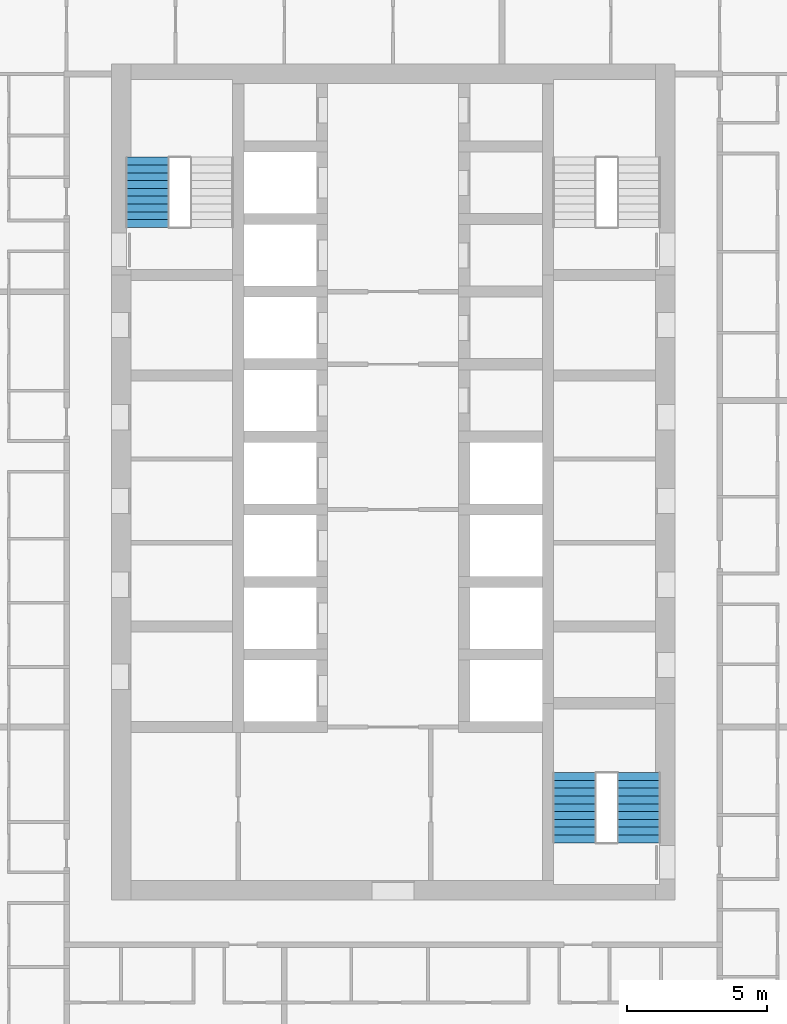
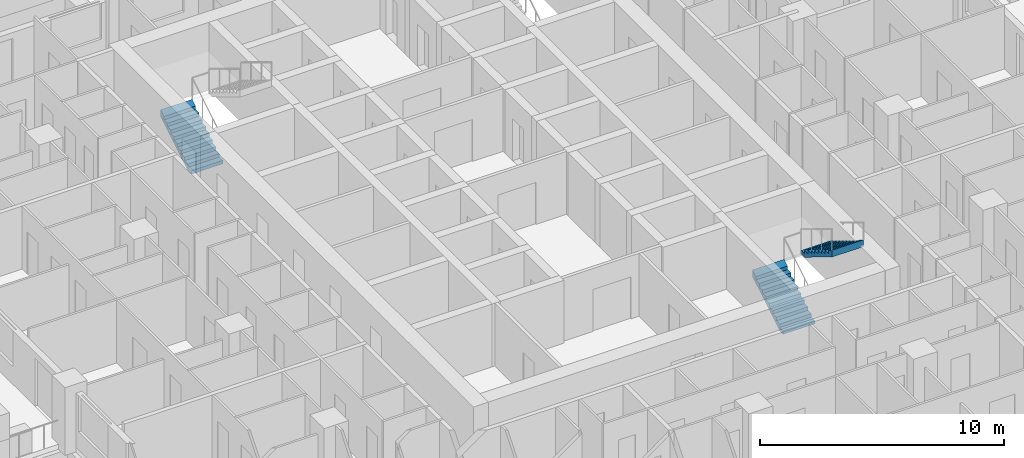
# One storey, part 15 of 18: 3 stair flights, 2 elements without a shape of their own.
"""IFC4 building model written with IfcOpenShell, lengths in metres."""

from ifc_helpers import new_model, si_unit, direction, frame, origin, place, context, subcontext, project, spatial, triangles, material, type_object, element, aggregate, save


model = new_model("IFC4")

# Units and contexts
model_context = context("Model", 3, precision=1e-05, world=origin(), true_north=direction((0.0, 1.0)))
body_context = subcontext(model_context, "Body", "Model", "MODEL_VIEW")
ifc_project = project(units=[si_unit("LENGTHUNIT", "METRE"), si_unit("AREAUNIT", "SQUARE_METRE"), si_unit("VOLUMEUNIT", "CUBIC_METRE"), si_unit("PLANEANGLEUNIT", "RADIAN"), si_unit("MASSUNIT", "GRAM", prefix="KILO")], contexts=[model_context])

# Site, building, storey
site_placement = place(None, origin())
site = spatial("IfcSite", under=ifc_project, at=site_placement, CompositionType="ELEMENT")
building_placement = place(site_placement, origin())
building = spatial("IfcBuilding", under=site, at=building_placement, Name="Ludao Terraces", CompositionType="ELEMENT")
storey_placement = place(building_placement, frame((0.0, 0.0, 33.10009765625)))
storey = spatial("IfcBuildingStorey", under=building, at=storey_placement, Name="L08", CompositionType="ELEMENT", Elevation=33.10009765625)

# Stair, stair flight
ifc_material = material(Name="Concrete C40", Category="concrete")
stair_type = type_object("IfcStairType", Name="INT Stair", PredefinedType="HALF_TURN_STAIR", material=ifc_material)
stair_1_placement = place(storey_placement, origin())
stair_1 = element("IfcStair", 1, at=stair_1_placement, inside=storey, type_object=stair_type, Name="EXIT STAIR 1", PredefinedType="HALF_TURN_STAIR")
stair_flight_type = type_object("IfcStairFlightType", Name="INT Stair flight", PredefinedType="STRAIGHT", material=ifc_material)
stair_flight_1_placement = place(storey_placement, frame((76.199951171875, 79.0, 0.0), z_axis=(0.0, 0.0, 1.0), x_axis=(0.0, 1.0, 0.0)))
stair_flight_1 = element("IfcStairFlight", 2, at=stair_flight_1_placement, type_object=stair_flight_type, Name="ST1 flight 1", NumberOfRisers=10, NumberOfTreads=9, PredefinedType="STRAIGHT", RiserHeight=0.17, TreadLength=0.28, context=body_context, shape_type="Tessellation", body=[
    triangles([(0.0, -0.75, 0.0), (0.0, -0.5, 0.0), (0.0, -0.25, 0.0), (0.0, 0.0, 0.0), (0.0, 0.25, 0.0), (0.0, 0.5, 0.0), (0.0, 0.75, 0.0), (0.0, -0.75, 0.169921875), (0.0, -0.5, 0.169921875), (0.0, -0.25, 0.169921875), (0.0, 0.0, 0.169921875), (0.0, 0.25, 0.169921875), (0.0, 0.5, 0.169921875), (0.0, 0.75, 0.169921875), (0.280029296875, -0.75, 0.169921875), (0.280029296875, -0.5, 0.169921875), (0.280029296875, -0.25, 0.169921875), (0.280029296875, 0.0, 0.169921875), (0.280029296875, 0.25, 0.169921875), (0.280029296875, 0.5, 0.169921875), (0.280029296875, 0.75, 0.169921875), (0.280029296875, -0.75, 0.340087890625), (0.280029296875, -0.5, 0.340087890625), (0.280029296875, -0.25, 0.340087890625), (0.280029296875, 0.0, 0.340087890625), (0.280029296875, 0.25, 0.340087890625), (0.280029296875, 0.5, 0.340087890625), (0.280029296875, 0.75, 0.340087890625), (0.56005859375, -0.75, 0.340087890625), (0.56005859375, -0.5, 0.340087890625), (0.56005859375, -0.25, 0.340087890625), (0.56005859375, 0.0, 0.340087890625), (0.56005859375, 0.25, 0.340087890625), (0.56005859375, 0.5, 0.340087890625), (0.56005859375, 0.75, 0.340087890625), (0.56005859375, -0.75, 0.510009765625), (0.56005859375, -0.5, 0.510009765625), (0.56005859375, -0.25, 0.510009765625), (0.56005859375, 0.0, 0.510009765625), (0.56005859375, 0.25, 0.510009765625), (0.56005859375, 0.5, 0.510009765625), (0.56005859375, 0.75, 0.510009765625), (0.840087890625, -0.75, 0.510009765625), (0.840087890625, -0.5, 0.510009765625), (0.840087890625, -0.25, 0.510009765625), (0.840087890625, 0.0, 0.510009765625), (0.840087890625, 0.25, 0.510009765625), (0.840087890625, 0.5, 0.510009765625), (0.840087890625, 0.75, 0.510009765625), (0.840087890625, -0.75, 0.679931640625), (0.840087890625, -0.5, 0.679931640625), (0.840087890625, -0.25, 0.679931640625), (0.840087890625, 0.0, 0.679931640625), (0.840087890625, 0.25, 0.679931640625), (0.840087890625, 0.5, 0.679931640625), (0.840087890625, 0.75, 0.679931640625), (1.1201171875, -0.75, 0.679931640625), (1.1201171875, -0.5, 0.679931640625), (1.1201171875, -0.25, 0.679931640625), (1.1201171875, 0.0, 0.679931640625), (1.1201171875, 0.25, 0.679931640625), (1.1201171875, 0.5, 0.679931640625), (1.1201171875, 0.75, 0.679931640625), (1.1201171875, -0.75, 0.85009765625), (1.1201171875, -0.5, 0.85009765625), (1.1201171875, -0.25, 0.85009765625), (1.1201171875, 0.0, 0.85009765625), (1.1201171875, 0.25, 0.85009765625), (1.1201171875, 0.5, 0.85009765625), (1.1201171875, 0.75, 0.85009765625), (1.39990234375, -0.75, 0.85009765625), (1.39990234375, -0.5, 0.85009765625), (1.39990234375, -0.25, 0.85009765625), (1.39990234375, 0.0, 0.85009765625), (1.39990234375, 0.25, 0.85009765625), (1.39990234375, 0.5, 0.85009765625), (1.39990234375, 0.75, 0.85009765625), (1.39990234375, -0.75, 1.02001953125), (1.39990234375, -0.5, 1.02001953125), (1.39990234375, -0.25, 1.02001953125), (1.39990234375, 0.0, 1.02001953125), (1.39990234375, 0.25, 1.02001953125), (1.39990234375, 0.5, 1.02001953125), (1.39990234375, 0.75, 1.02001953125), (1.679931640625, -0.75, 1.02001953125), (1.679931640625, -0.5, 1.02001953125), (1.679931640625, -0.25, 1.02001953125), (1.679931640625, 0.0, 1.02001953125), (1.679931640625, 0.25, 1.02001953125), (1.679931640625, 0.5, 1.02001953125), (1.679931640625, 0.75, 1.02001953125), (1.679931640625, -0.75, 1.18994140625), (1.679931640625, -0.5, 1.18994140625), (1.679931640625, -0.25, 1.18994140625), (1.679931640625, 0.0, 1.18994140625), (1.679931640625, 0.25, 1.18994140625), (1.679931640625, 0.5, 1.18994140625), (1.679931640625, 0.75, 1.18994140625), (1.9599609375, -0.75, 1.18994140625), (1.9599609375, -0.5, 1.18994140625), (1.9599609375, -0.25, 1.18994140625), (1.9599609375, 0.0, 1.18994140625), (1.9599609375, 0.25, 1.18994140625), (1.9599609375, 0.5, 1.18994140625), (1.9599609375, 0.75, 1.18994140625), (1.9599609375, -0.75, 1.360107421875), (1.9599609375, -0.5, 1.360107421875), (1.9599609375, -0.25, 1.360107421875), (1.9599609375, 0.0, 1.360107421875), (1.9599609375, 0.25, 1.360107421875), (1.9599609375, 0.5, 1.360107421875), (1.9599609375, 0.75, 1.360107421875), (2.239990234375, -0.75, 1.360107421875), (2.239990234375, -0.5, 1.360107421875), (2.239990234375, -0.25, 1.360107421875), (2.239990234375, 0.0, 1.360107421875), (2.239990234375, 0.25, 1.360107421875), (2.239990234375, 0.5, 1.360107421875), (2.239990234375, 0.75, 1.360107421875), (2.239990234375, -0.75, 1.530029296875), (2.239990234375, -0.5, 1.530029296875), (2.239990234375, -0.25, 1.530029296875), (2.239990234375, 0.0, 1.530029296875), (2.239990234375, 0.25, 1.530029296875), (2.239990234375, 0.5, 1.530029296875), (2.239990234375, 0.75, 1.530029296875), (2.52001953125, -0.75, 1.699951171875), (2.52001953125, -0.5, 1.699951171875), (2.52001953125, -0.25, 1.699951171875), (2.52001953125, 0.0, 1.699951171875), (2.52001953125, 0.25, 1.699951171875), (2.52001953125, 0.5, 1.699951171875), (2.52001953125, 0.75, 1.699951171875), (2.52001953125, -0.75, 1.354736328125), (2.52001953125, -0.5, 1.354736328125), (2.52001953125, -0.25, 1.354736328125), (2.52001953125, 0.0, 1.354736328125), (2.52001953125, 0.25, 1.354736328125), (2.52001953125, 0.5, 1.354736328125), (2.52001953125, 0.75, 1.354736328125), (0.288818359375, -0.75, 0.0), (0.288818359375, -0.5, 0.0), (0.288818359375, -0.25, 0.0), (0.288818359375, 0.0, 0.0), (0.288818359375, 0.25, 0.0), (0.288818359375, 0.5, 0.0), (0.288818359375, 0.75, 0.0)], [[1, 141, 134], [7, 140, 147], [134, 127, 120], [140, 126, 133], [134, 120, 113], [140, 119, 126], [134, 113, 106], [140, 112, 119], [134, 106, 99], [140, 105, 112], [99, 92, 85], [105, 91, 98], [134, 99, 85], [140, 91, 105], [85, 78, 71], [91, 77, 84], [134, 85, 71], [140, 77, 91], [71, 64, 57], [77, 63, 70], [134, 71, 57], [140, 63, 77], [57, 50, 43], [63, 49, 56], [134, 57, 43], [140, 49, 63], [43, 36, 29], [49, 35, 42], [134, 43, 29], [140, 35, 49], [29, 22, 15], [35, 21, 28], [134, 29, 15], [140, 21, 35], [1, 134, 15], [7, 21, 140], [15, 8, 1], [21, 7, 14], [1, 9, 2], [1, 8, 9], [2, 10, 3], [2, 9, 10], [3, 11, 4], [3, 10, 11], [4, 12, 5], [4, 11, 12], [5, 13, 6], [5, 12, 13], [6, 14, 7], [6, 13, 14], [8, 16, 9], [8, 15, 16], [9, 17, 10], [9, 16, 17], [10, 18, 11], [10, 17, 18], [11, 19, 12], [11, 18, 19], [12, 20, 13], [12, 19, 20], [13, 21, 14], [13, 20, 21], [15, 23, 16], [15, 22, 23], [16, 24, 17], [16, 23, 24], [17, 25, 18], [17, 24, 25], [18, 26, 19], [18, 25, 26], [19, 27, 20], [19, 26, 27], [20, 28, 21], [20, 27, 28], [22, 30, 23], [22, 29, 30], [23, 31, 24], [23, 30, 31], [24, 32, 25], [24, 31, 32], [25, 33, 26], [25, 32, 33], [26, 34, 27], [26, 33, 34], [27, 35, 28], [27, 34, 35], [29, 37, 30], [29, 36, 37], [30, 38, 31], [30, 37, 38], [31, 39, 32], [31, 38, 39], [32, 40, 33], [32, 39, 40], [33, 41, 34], [33, 40, 41], [34, 42, 35], [34, 41, 42], [36, 44, 37], [36, 43, 44], [37, 45, 38], [37, 44, 45], [38, 46, 39], [38, 45, 46], [39, 47, 40], [39, 46, 47], [40, 48, 41], [40, 47, 48], [41, 49, 42], [41, 48, 49], [43, 51, 44], [43, 50, 51], [44, 52, 45], [44, 51, 52], [45, 53, 46], [45, 52, 53], [46, 54, 47], [46, 53, 54], [47, 55, 48], [47, 54, 55], [48, 56, 49], [48, 55, 56], [50, 58, 51], [50, 57, 58], [51, 59, 52], [51, 58, 59], [52, 60, 53], [52, 59, 60], [53, 61, 54], [53, 60, 61], [54, 62, 55], [54, 61, 62], [55, 63, 56], [55, 62, 63], [57, 65, 58], [57, 64, 65], [58, 66, 59], [58, 65, 66], [59, 67, 60], [59, 66, 67], [60, 68, 61], [60, 67, 68], [61, 69, 62], [61, 68, 69], [62, 70, 63], [62, 69, 70], [64, 72, 65], [64, 71, 72], [65, 73, 66], [65, 72, 73], [66, 74, 67], [66, 73, 74], [67, 75, 68], [67, 74, 75], [68, 76, 69], [68, 75, 76], [69, 77, 70], [69, 76, 77], [71, 79, 72], [71, 78, 79], [72, 80, 73], [72, 79, 80], [73, 81, 74], [73, 80, 81], [74, 82, 75], [74, 81, 82], [75, 83, 76], [75, 82, 83], [76, 84, 77], [76, 83, 84], [78, 86, 79], [78, 85, 86], [79, 87, 80], [79, 86, 87], [80, 88, 81], [80, 87, 88], [81, 89, 82], [81, 88, 89], [82, 90, 83], [82, 89, 90], [83, 91, 84], [83, 90, 91], [85, 93, 86], [85, 92, 93], [86, 94, 87], [86, 93, 94], [87, 95, 88], [87, 94, 95], [88, 96, 89], [88, 95, 96], [89, 97, 90], [89, 96, 97], [90, 98, 91], [90, 97, 98], [92, 100, 93], [92, 99, 100], [93, 101, 94], [93, 100, 101], [94, 102, 95], [94, 101, 102], [95, 103, 96], [95, 102, 103], [96, 104, 97], [96, 103, 104], [97, 105, 98], [97, 104, 105], [99, 107, 100], [99, 106, 107], [100, 108, 101], [100, 107, 108], [101, 109, 102], [101, 108, 109], [102, 110, 103], [102, 109, 110], [103, 111, 104], [103, 110, 111], [104, 112, 105], [104, 111, 112], [106, 114, 107], [106, 113, 114], [107, 115, 108], [107, 114, 115], [108, 116, 109], [108, 115, 116], [109, 117, 110], [109, 116, 117], [110, 118, 111], [110, 117, 118], [111, 119, 112], [111, 118, 119], [113, 121, 114], [113, 120, 121], [114, 122, 115], [114, 121, 122], [115, 123, 116], [115, 122, 123], [116, 124, 117], [116, 123, 124], [117, 125, 118], [117, 124, 125], [118, 126, 119], [118, 125, 126], [120, 128, 121], [120, 127, 128], [121, 129, 122], [121, 128, 129], [122, 130, 123], [122, 129, 130], [123, 131, 124], [123, 130, 131], [124, 132, 125], [124, 131, 132], [125, 133, 126], [125, 132, 133], [127, 135, 128], [127, 134, 135], [128, 136, 129], [128, 135, 136], [129, 137, 130], [129, 136, 137], [130, 138, 131], [130, 137, 138], [131, 139, 132], [131, 138, 139], [132, 140, 133], [132, 139, 140], [134, 142, 135], [134, 141, 142], [135, 143, 136], [135, 142, 143], [136, 144, 137], [136, 143, 144], [137, 145, 138], [137, 144, 145], [138, 146, 139], [138, 145, 146], [139, 147, 140], [139, 146, 147], [141, 2, 142], [141, 1, 2], [142, 3, 143], [142, 2, 3], [143, 4, 144], [143, 3, 4], [144, 5, 145], [144, 4, 5], [145, 6, 146], [145, 5, 6], [146, 7, 147], [146, 6, 7]], closed=True),
])
aggregate(stair_1, [stair_flight_1])

# Stair, stair flights
stair_2_placement = place(storey_placement, origin())
stair_2 = element("IfcStair", 3, at=stair_2_placement, inside=storey, type_object=stair_type, Name="EXIT STAIR 3", PredefinedType="HALF_TURN_STAIR")
stair_flight_2_placement = place(storey_placement, frame((91.5, 56.949951171875, 0.0), z_axis=(0.0, 0.0, 1.0), x_axis=(0.0, 1.0, 0.0)))
stair_flight_2 = element("IfcStairFlight", 4, at=stair_flight_2_placement, type_object=stair_flight_type, Name="ST3 flight 1", NumberOfRisers=10, NumberOfTreads=9, PredefinedType="STRAIGHT", RiserHeight=0.17, TreadLength=0.28, context=body_context, shape_type="Tessellation", body=[
    triangles([(0.0, -0.75, 0.0), (0.0, -0.5, 0.0), (0.0, -0.25, 0.0), (0.0, 0.0, 0.0), (0.0, 0.25, 0.0), (0.0, 0.5, 0.0), (0.0, 0.75, 0.0), (0.0, -0.75, 0.169921875), (0.0, -0.5, 0.169921875), (0.0, -0.25, 0.169921875), (0.0, 0.0, 0.169921875), (0.0, 0.25, 0.169921875), (0.0, 0.5, 0.169921875), (0.0, 0.75, 0.169921875), (0.280029296875, -0.75, 0.169921875), (0.280029296875, -0.5, 0.169921875), (0.280029296875, -0.25, 0.169921875), (0.280029296875, 0.0, 0.169921875), (0.280029296875, 0.25, 0.169921875), (0.280029296875, 0.5, 0.169921875), (0.280029296875, 0.75, 0.169921875), (0.280029296875, -0.75, 0.340087890625), (0.280029296875, -0.5, 0.340087890625), (0.280029296875, -0.25, 0.340087890625), (0.280029296875, 0.0, 0.340087890625), (0.280029296875, 0.25, 0.340087890625), (0.280029296875, 0.5, 0.340087890625), (0.280029296875, 0.75, 0.340087890625), (0.56005859375, -0.75, 0.340087890625), (0.56005859375, -0.5, 0.340087890625), (0.56005859375, -0.25, 0.340087890625), (0.56005859375, 0.0, 0.340087890625), (0.56005859375, 0.25, 0.340087890625), (0.56005859375, 0.5, 0.340087890625), (0.56005859375, 0.75, 0.340087890625), (0.56005859375, -0.75, 0.510009765625), (0.56005859375, -0.5, 0.510009765625), (0.56005859375, -0.25, 0.510009765625), (0.56005859375, 0.0, 0.510009765625), (0.56005859375, 0.25, 0.510009765625), (0.56005859375, 0.5, 0.510009765625), (0.56005859375, 0.75, 0.510009765625), (0.840087890625, -0.75, 0.510009765625), (0.840087890625, -0.5, 0.510009765625), (0.840087890625, -0.25, 0.510009765625), (0.840087890625, 0.0, 0.510009765625), (0.840087890625, 0.25, 0.510009765625), (0.840087890625, 0.5, 0.510009765625), (0.840087890625, 0.75, 0.510009765625), (0.840087890625, -0.75, 0.679931640625), (0.840087890625, -0.5, 0.679931640625), (0.840087890625, -0.25, 0.679931640625), (0.840087890625, 0.0, 0.679931640625), (0.840087890625, 0.25, 0.679931640625), (0.840087890625, 0.5, 0.679931640625), (0.840087890625, 0.75, 0.679931640625), (1.1201171875, -0.75, 0.679931640625), (1.1201171875, -0.5, 0.679931640625), (1.1201171875, -0.25, 0.679931640625), (1.1201171875, 0.0, 0.679931640625), (1.1201171875, 0.25, 0.679931640625), (1.1201171875, 0.5, 0.679931640625), (1.1201171875, 0.75, 0.679931640625), (1.1201171875, -0.75, 0.85009765625), (1.1201171875, -0.5, 0.85009765625), (1.1201171875, -0.25, 0.85009765625), (1.1201171875, 0.0, 0.85009765625), (1.1201171875, 0.25, 0.85009765625), (1.1201171875, 0.5, 0.85009765625), (1.1201171875, 0.75, 0.85009765625), (1.39990234375, -0.75, 0.85009765625), (1.39990234375, -0.5, 0.85009765625), (1.39990234375, -0.25, 0.85009765625), (1.39990234375, 0.0, 0.85009765625), (1.39990234375, 0.25, 0.85009765625), (1.39990234375, 0.5, 0.85009765625), (1.39990234375, 0.75, 0.85009765625), (1.39990234375, -0.75, 1.02001953125), (1.39990234375, -0.5, 1.02001953125), (1.39990234375, -0.25, 1.02001953125), (1.39990234375, 0.0, 1.02001953125), (1.39990234375, 0.25, 1.02001953125), (1.39990234375, 0.5, 1.02001953125), (1.39990234375, 0.75, 1.02001953125), (1.679931640625, -0.75, 1.02001953125), (1.679931640625, -0.5, 1.02001953125), (1.679931640625, -0.25, 1.02001953125), (1.679931640625, 0.0, 1.02001953125), (1.679931640625, 0.25, 1.02001953125), (1.679931640625, 0.5, 1.02001953125), (1.679931640625, 0.75, 1.02001953125), (1.679931640625, -0.75, 1.18994140625), (1.679931640625, -0.5, 1.18994140625), (1.679931640625, -0.25, 1.18994140625), (1.679931640625, 0.0, 1.18994140625), (1.679931640625, 0.25, 1.18994140625), (1.679931640625, 0.5, 1.18994140625), (1.679931640625, 0.75, 1.18994140625), (1.9599609375, -0.75, 1.18994140625), (1.9599609375, -0.5, 1.18994140625), (1.9599609375, -0.25, 1.18994140625), (1.9599609375, 0.0, 1.18994140625), (1.9599609375, 0.25, 1.18994140625), (1.9599609375, 0.5, 1.18994140625), (1.9599609375, 0.75, 1.18994140625), (1.9599609375, -0.75, 1.360107421875), (1.9599609375, -0.5, 1.360107421875), (1.9599609375, -0.25, 1.360107421875), (1.9599609375, 0.0, 1.360107421875), (1.9599609375, 0.25, 1.360107421875), (1.9599609375, 0.5, 1.360107421875), (1.9599609375, 0.75, 1.360107421875), (2.239990234375, -0.75, 1.360107421875), (2.239990234375, -0.5, 1.360107421875), (2.239990234375, -0.25, 1.360107421875), (2.239990234375, 0.0, 1.360107421875), (2.239990234375, 0.25, 1.360107421875), (2.239990234375, 0.5, 1.360107421875), (2.239990234375, 0.75, 1.360107421875), (2.239990234375, -0.75, 1.530029296875), (2.239990234375, -0.5, 1.530029296875), (2.239990234375, -0.25, 1.530029296875), (2.239990234375, 0.0, 1.530029296875), (2.239990234375, 0.25, 1.530029296875), (2.239990234375, 0.5, 1.530029296875), (2.239990234375, 0.75, 1.530029296875), (2.52001953125, -0.75, 1.699951171875), (2.52001953125, -0.5, 1.699951171875), (2.52001953125, -0.25, 1.699951171875), (2.52001953125, 0.0, 1.699951171875), (2.52001953125, 0.25, 1.699951171875), (2.52001953125, 0.5, 1.699951171875), (2.52001953125, 0.75, 1.699951171875), (2.52001953125, -0.75, 1.354736328125), (2.52001953125, -0.5, 1.354736328125), (2.52001953125, -0.25, 1.354736328125), (2.52001953125, 0.0, 1.354736328125), (2.52001953125, 0.25, 1.354736328125), (2.52001953125, 0.5, 1.354736328125), (2.52001953125, 0.75, 1.354736328125), (0.288818359375, -0.75, 0.0), (0.288818359375, -0.5, 0.0), (0.288818359375, -0.25, 0.0), (0.288818359375, 0.0, 0.0), (0.288818359375, 0.25, 0.0), (0.288818359375, 0.5, 0.0), (0.288818359375, 0.75, 0.0)], [[1, 141, 134], [7, 140, 147], [134, 127, 120], [140, 126, 133], [134, 120, 113], [140, 119, 126], [134, 113, 106], [140, 112, 119], [134, 106, 99], [140, 105, 112], [99, 92, 85], [105, 91, 98], [134, 99, 85], [140, 91, 105], [85, 78, 71], [91, 77, 84], [134, 85, 71], [140, 77, 91], [71, 64, 57], [77, 63, 70], [134, 71, 57], [140, 63, 77], [57, 50, 43], [63, 49, 56], [134, 57, 43], [140, 49, 63], [43, 36, 29], [49, 35, 42], [134, 43, 29], [140, 35, 49], [29, 22, 15], [35, 21, 28], [134, 29, 15], [140, 21, 35], [1, 134, 15], [7, 21, 140], [15, 8, 1], [21, 7, 14], [1, 9, 2], [1, 8, 9], [2, 10, 3], [2, 9, 10], [3, 11, 4], [3, 10, 11], [4, 12, 5], [4, 11, 12], [5, 13, 6], [5, 12, 13], [6, 14, 7], [6, 13, 14], [8, 16, 9], [8, 15, 16], [9, 17, 10], [9, 16, 17], [10, 18, 11], [10, 17, 18], [11, 19, 12], [11, 18, 19], [12, 20, 13], [12, 19, 20], [13, 21, 14], [13, 20, 21], [15, 23, 16], [15, 22, 23], [16, 24, 17], [16, 23, 24], [17, 25, 18], [17, 24, 25], [18, 26, 19], [18, 25, 26], [19, 27, 20], [19, 26, 27], [20, 28, 21], [20, 27, 28], [22, 30, 23], [22, 29, 30], [23, 31, 24], [23, 30, 31], [24, 32, 25], [24, 31, 32], [25, 33, 26], [25, 32, 33], [26, 34, 27], [26, 33, 34], [27, 35, 28], [27, 34, 35], [29, 37, 30], [29, 36, 37], [30, 38, 31], [30, 37, 38], [31, 39, 32], [31, 38, 39], [32, 40, 33], [32, 39, 40], [33, 41, 34], [33, 40, 41], [34, 42, 35], [34, 41, 42], [36, 44, 37], [36, 43, 44], [37, 45, 38], [37, 44, 45], [38, 46, 39], [38, 45, 46], [39, 47, 40], [39, 46, 47], [40, 48, 41], [40, 47, 48], [41, 49, 42], [41, 48, 49], [43, 51, 44], [43, 50, 51], [44, 52, 45], [44, 51, 52], [45, 53, 46], [45, 52, 53], [46, 54, 47], [46, 53, 54], [47, 55, 48], [47, 54, 55], [48, 56, 49], [48, 55, 56], [50, 58, 51], [50, 57, 58], [51, 59, 52], [51, 58, 59], [52, 60, 53], [52, 59, 60], [53, 61, 54], [53, 60, 61], [54, 62, 55], [54, 61, 62], [55, 63, 56], [55, 62, 63], [57, 65, 58], [57, 64, 65], [58, 66, 59], [58, 65, 66], [59, 67, 60], [59, 66, 67], [60, 68, 61], [60, 67, 68], [61, 69, 62], [61, 68, 69], [62, 70, 63], [62, 69, 70], [64, 72, 65], [64, 71, 72], [65, 73, 66], [65, 72, 73], [66, 74, 67], [66, 73, 74], [67, 75, 68], [67, 74, 75], [68, 76, 69], [68, 75, 76], [69, 77, 70], [69, 76, 77], [71, 79, 72], [71, 78, 79], [72, 80, 73], [72, 79, 80], [73, 81, 74], [73, 80, 81], [74, 82, 75], [74, 81, 82], [75, 83, 76], [75, 82, 83], [76, 84, 77], [76, 83, 84], [78, 86, 79], [78, 85, 86], [79, 87, 80], [79, 86, 87], [80, 88, 81], [80, 87, 88], [81, 89, 82], [81, 88, 89], [82, 90, 83], [82, 89, 90], [83, 91, 84], [83, 90, 91], [85, 93, 86], [85, 92, 93], [86, 94, 87], [86, 93, 94], [87, 95, 88], [87, 94, 95], [88, 96, 89], [88, 95, 96], [89, 97, 90], [89, 96, 97], [90, 98, 91], [90, 97, 98], [92, 100, 93], [92, 99, 100], [93, 101, 94], [93, 100, 101], [94, 102, 95], [94, 101, 102], [95, 103, 96], [95, 102, 103], [96, 104, 97], [96, 103, 104], [97, 105, 98], [97, 104, 105], [99, 107, 100], [99, 106, 107], [100, 108, 101], [100, 107, 108], [101, 109, 102], [101, 108, 109], [102, 110, 103], [102, 109, 110], [103, 111, 104], [103, 110, 111], [104, 112, 105], [104, 111, 112], [106, 114, 107], [106, 113, 114], [107, 115, 108], [107, 114, 115], [108, 116, 109], [108, 115, 116], [109, 117, 110], [109, 116, 117], [110, 118, 111], [110, 117, 118], [111, 119, 112], [111, 118, 119], [113, 121, 114], [113, 120, 121], [114, 122, 115], [114, 121, 122], [115, 123, 116], [115, 122, 123], [116, 124, 117], [116, 123, 124], [117, 125, 118], [117, 124, 125], [118, 126, 119], [118, 125, 126], [120, 128, 121], [120, 127, 128], [121, 129, 122], [121, 128, 129], [122, 130, 123], [122, 129, 130], [123, 131, 124], [123, 130, 131], [124, 132, 125], [124, 131, 132], [125, 133, 126], [125, 132, 133], [127, 135, 128], [127, 134, 135], [128, 136, 129], [128, 135, 136], [129, 137, 130], [129, 136, 137], [130, 138, 131], [130, 137, 138], [131, 139, 132], [131, 138, 139], [132, 140, 133], [132, 139, 140], [134, 142, 135], [134, 141, 142], [135, 143, 136], [135, 142, 143], [136, 144, 137], [136, 143, 144], [137, 145, 138], [137, 144, 145], [138, 146, 139], [138, 145, 146], [139, 147, 140], [139, 146, 147], [141, 2, 142], [141, 1, 2], [142, 3, 143], [142, 2, 3], [143, 4, 144], [143, 3, 4], [144, 5, 145], [144, 4, 5], [145, 6, 146], [145, 5, 6], [146, 7, 147], [146, 6, 7]], closed=True),
])
stair_flight_3_placement = place(storey_placement, frame((93.800048828125, 59.469970703125, 1.699951171875), z_axis=(0.0, 0.0, 1.0), x_axis=(0.0, -1.0, 0.0)))
stair_flight_3 = element("IfcStairFlight", 5, at=stair_flight_3_placement, type_object=stair_flight_type, Name="ST3 flight 2", NumberOfRisers=10, NumberOfTreads=9, PredefinedType="STRAIGHT", RiserHeight=0.17, TreadLength=0.28, context=body_context, shape_type="Tessellation", body=[
    triangles([(0.0, -0.75, 0.0), (0.0, -0.5, 0.0), (0.0, -0.25, 0.0), (0.0, 0.0, 0.0), (0.0, 0.25, 0.0), (0.0, 0.5, 0.0), (0.0, 0.75, 0.0), (0.0, -0.75, 0.169921875), (0.0, -0.5, 0.169921875), (0.0, -0.25, 0.169921875), (0.0, 0.0, 0.169921875), (0.0, 0.25, 0.169921875), (0.0, 0.5, 0.169921875), (0.0, 0.75, 0.169921875), (0.280029296875, -0.75, 0.169921875), (0.280029296875, -0.5, 0.169921875), (0.280029296875, -0.25, 0.169921875), (0.280029296875, 0.0, 0.169921875), (0.280029296875, 0.25, 0.169921875), (0.280029296875, 0.5, 0.169921875), (0.280029296875, 0.75, 0.169921875), (0.280029296875, -0.75, 0.340087890625), (0.280029296875, -0.5, 0.340087890625), (0.280029296875, -0.25, 0.340087890625), (0.280029296875, 0.0, 0.340087890625), (0.280029296875, 0.25, 0.340087890625), (0.280029296875, 0.5, 0.340087890625), (0.280029296875, 0.75, 0.340087890625), (0.56005859375, -0.75, 0.340087890625), (0.56005859375, -0.5, 0.340087890625), (0.56005859375, -0.25, 0.340087890625), (0.56005859375, 0.0, 0.340087890625), (0.56005859375, 0.25, 0.340087890625), (0.56005859375, 0.5, 0.340087890625), (0.56005859375, 0.75, 0.340087890625), (0.56005859375, -0.75, 0.510009765625), (0.56005859375, -0.5, 0.510009765625), (0.56005859375, -0.25, 0.510009765625), (0.56005859375, 0.0, 0.510009765625), (0.56005859375, 0.25, 0.510009765625), (0.56005859375, 0.5, 0.510009765625), (0.56005859375, 0.75, 0.510009765625), (0.840087890625, -0.75, 0.510009765625), (0.840087890625, -0.5, 0.510009765625), (0.840087890625, -0.25, 0.510009765625), (0.840087890625, 0.0, 0.510009765625), (0.840087890625, 0.25, 0.510009765625), (0.840087890625, 0.5, 0.510009765625), (0.840087890625, 0.75, 0.510009765625), (0.840087890625, -0.75, 0.679931640625), (0.840087890625, -0.5, 0.679931640625), (0.840087890625, -0.25, 0.679931640625), (0.840087890625, 0.0, 0.679931640625), (0.840087890625, 0.25, 0.679931640625), (0.840087890625, 0.5, 0.679931640625), (0.840087890625, 0.75, 0.679931640625), (1.1201171875, -0.75, 0.679931640625), (1.1201171875, -0.5, 0.679931640625), (1.1201171875, -0.25, 0.679931640625), (1.1201171875, 0.0, 0.679931640625), (1.1201171875, 0.25, 0.679931640625), (1.1201171875, 0.5, 0.679931640625), (1.1201171875, 0.75, 0.679931640625), (1.1201171875, -0.75, 0.85009765625), (1.1201171875, -0.5, 0.85009765625), (1.1201171875, -0.25, 0.85009765625), (1.1201171875, 0.0, 0.85009765625), (1.1201171875, 0.25, 0.85009765625), (1.1201171875, 0.5, 0.85009765625), (1.1201171875, 0.75, 0.85009765625), (1.39990234375, -0.75, 0.85009765625), (1.39990234375, -0.5, 0.85009765625), (1.39990234375, -0.25, 0.85009765625), (1.39990234375, 0.0, 0.85009765625), (1.39990234375, 0.25, 0.85009765625), (1.39990234375, 0.5, 0.85009765625), (1.39990234375, 0.75, 0.85009765625), (1.39990234375, -0.75, 1.02001953125), (1.39990234375, -0.5, 1.02001953125), (1.39990234375, -0.25, 1.02001953125), (1.39990234375, 0.0, 1.02001953125), (1.39990234375, 0.25, 1.02001953125), (1.39990234375, 0.5, 1.02001953125), (1.39990234375, 0.75, 1.02001953125), (1.679931640625, -0.75, 1.02001953125), (1.679931640625, -0.5, 1.02001953125), (1.679931640625, -0.25, 1.02001953125), (1.679931640625, 0.0, 1.02001953125), (1.679931640625, 0.25, 1.02001953125), (1.679931640625, 0.5, 1.02001953125), (1.679931640625, 0.75, 1.02001953125), (1.679931640625, -0.75, 1.18994140625), (1.679931640625, -0.5, 1.18994140625), (1.679931640625, -0.25, 1.18994140625), (1.679931640625, 0.0, 1.18994140625), (1.679931640625, 0.25, 1.18994140625), (1.679931640625, 0.5, 1.18994140625), (1.679931640625, 0.75, 1.18994140625), (1.9599609375, -0.75, 1.18994140625), (1.9599609375, -0.5, 1.18994140625), (1.9599609375, -0.25, 1.18994140625), (1.9599609375, 0.0, 1.18994140625), (1.9599609375, 0.25, 1.18994140625), (1.9599609375, 0.5, 1.18994140625), (1.9599609375, 0.75, 1.18994140625), (1.9599609375, -0.75, 1.360107421875), (1.9599609375, -0.5, 1.360107421875), (1.9599609375, -0.25, 1.360107421875), (1.9599609375, 0.0, 1.360107421875), (1.9599609375, 0.25, 1.360107421875), (1.9599609375, 0.5, 1.360107421875), (1.9599609375, 0.75, 1.360107421875), (2.239990234375, -0.75, 1.360107421875), (2.239990234375, -0.5, 1.360107421875), (2.239990234375, -0.25, 1.360107421875), (2.239990234375, 0.0, 1.360107421875), (2.239990234375, 0.25, 1.360107421875), (2.239990234375, 0.5, 1.360107421875), (2.239990234375, 0.75, 1.360107421875), (2.239990234375, -0.75, 1.530029296875), (2.239990234375, -0.5, 1.530029296875), (2.239990234375, -0.25, 1.530029296875), (2.239990234375, 0.0, 1.530029296875), (2.239990234375, 0.25, 1.530029296875), (2.239990234375, 0.5, 1.530029296875), (2.239990234375, 0.75, 1.530029296875), (2.52001953125, -0.75, 1.699951171875), (2.52001953125, -0.5, 1.699951171875), (2.52001953125, -0.25, 1.699951171875), (2.52001953125, 0.0, 1.699951171875), (2.52001953125, 0.25, 1.699951171875), (2.52001953125, 0.5, 1.699951171875), (2.52001953125, 0.75, 1.699951171875), (2.52001953125, -0.75, 1.354736328125), (2.52001953125, -0.5, 1.354736328125), (2.52001953125, -0.25, 1.354736328125), (2.52001953125, 0.0, 1.354736328125), (2.52001953125, 0.25, 1.354736328125), (2.52001953125, 0.5, 1.354736328125), (2.52001953125, 0.75, 1.354736328125), (0.288818359375, -0.75, 0.0), (0.288818359375, -0.5, 0.0), (0.288818359375, -0.25, 0.0), (0.288818359375, 0.0, 0.0), (0.288818359375, 0.25, 0.0), (0.288818359375, 0.5, 0.0), (0.288818359375, 0.75, 0.0)], [[1, 141, 134], [7, 140, 147], [134, 127, 120], [140, 126, 133], [134, 120, 113], [140, 119, 126], [134, 113, 106], [140, 112, 119], [134, 106, 99], [140, 105, 112], [99, 92, 85], [105, 91, 98], [134, 99, 85], [140, 91, 105], [85, 78, 71], [91, 77, 84], [134, 85, 71], [140, 77, 91], [71, 64, 57], [77, 63, 70], [134, 71, 57], [140, 63, 77], [57, 50, 43], [63, 49, 56], [134, 57, 43], [140, 49, 63], [43, 36, 29], [49, 35, 42], [134, 43, 29], [140, 35, 49], [29, 22, 15], [35, 21, 28], [134, 29, 15], [140, 21, 35], [1, 134, 15], [7, 21, 140], [15, 8, 1], [21, 7, 14], [1, 9, 2], [1, 8, 9], [2, 10, 3], [2, 9, 10], [3, 11, 4], [3, 10, 11], [4, 12, 5], [4, 11, 12], [5, 13, 6], [5, 12, 13], [6, 14, 7], [6, 13, 14], [8, 16, 9], [8, 15, 16], [9, 17, 10], [9, 16, 17], [10, 18, 11], [10, 17, 18], [11, 19, 12], [11, 18, 19], [12, 20, 13], [12, 19, 20], [13, 21, 14], [13, 20, 21], [15, 23, 16], [15, 22, 23], [16, 24, 17], [16, 23, 24], [17, 25, 18], [17, 24, 25], [18, 26, 19], [18, 25, 26], [19, 27, 20], [19, 26, 27], [20, 28, 21], [20, 27, 28], [22, 30, 23], [22, 29, 30], [23, 31, 24], [23, 30, 31], [24, 32, 25], [24, 31, 32], [25, 33, 26], [25, 32, 33], [26, 34, 27], [26, 33, 34], [27, 35, 28], [27, 34, 35], [29, 37, 30], [29, 36, 37], [30, 38, 31], [30, 37, 38], [31, 39, 32], [31, 38, 39], [32, 40, 33], [32, 39, 40], [33, 41, 34], [33, 40, 41], [34, 42, 35], [34, 41, 42], [36, 44, 37], [36, 43, 44], [37, 45, 38], [37, 44, 45], [38, 46, 39], [38, 45, 46], [39, 47, 40], [39, 46, 47], [40, 48, 41], [40, 47, 48], [41, 49, 42], [41, 48, 49], [43, 51, 44], [43, 50, 51], [44, 52, 45], [44, 51, 52], [45, 53, 46], [45, 52, 53], [46, 54, 47], [46, 53, 54], [47, 55, 48], [47, 54, 55], [48, 56, 49], [48, 55, 56], [50, 58, 51], [50, 57, 58], [51, 59, 52], [51, 58, 59], [52, 60, 53], [52, 59, 60], [53, 61, 54], [53, 60, 61], [54, 62, 55], [54, 61, 62], [55, 63, 56], [55, 62, 63], [57, 65, 58], [57, 64, 65], [58, 66, 59], [58, 65, 66], [59, 67, 60], [59, 66, 67], [60, 68, 61], [60, 67, 68], [61, 69, 62], [61, 68, 69], [62, 70, 63], [62, 69, 70], [64, 72, 65], [64, 71, 72], [65, 73, 66], [65, 72, 73], [66, 74, 67], [66, 73, 74], [67, 75, 68], [67, 74, 75], [68, 76, 69], [68, 75, 76], [69, 77, 70], [69, 76, 77], [71, 79, 72], [71, 78, 79], [72, 80, 73], [72, 79, 80], [73, 81, 74], [73, 80, 81], [74, 82, 75], [74, 81, 82], [75, 83, 76], [75, 82, 83], [76, 84, 77], [76, 83, 84], [78, 86, 79], [78, 85, 86], [79, 87, 80], [79, 86, 87], [80, 88, 81], [80, 87, 88], [81, 89, 82], [81, 88, 89], [82, 90, 83], [82, 89, 90], [83, 91, 84], [83, 90, 91], [85, 93, 86], [85, 92, 93], [86, 94, 87], [86, 93, 94], [87, 95, 88], [87, 94, 95], [88, 96, 89], [88, 95, 96], [89, 97, 90], [89, 96, 97], [90, 98, 91], [90, 97, 98], [92, 100, 93], [92, 99, 100], [93, 101, 94], [93, 100, 101], [94, 102, 95], [94, 101, 102], [95, 103, 96], [95, 102, 103], [96, 104, 97], [96, 103, 104], [97, 105, 98], [97, 104, 105], [99, 107, 100], [99, 106, 107], [100, 108, 101], [100, 107, 108], [101, 109, 102], [101, 108, 109], [102, 110, 103], [102, 109, 110], [103, 111, 104], [103, 110, 111], [104, 112, 105], [104, 111, 112], [106, 114, 107], [106, 113, 114], [107, 115, 108], [107, 114, 115], [108, 116, 109], [108, 115, 116], [109, 117, 110], [109, 116, 117], [110, 118, 111], [110, 117, 118], [111, 119, 112], [111, 118, 119], [113, 121, 114], [113, 120, 121], [114, 122, 115], [114, 121, 122], [115, 123, 116], [115, 122, 123], [116, 124, 117], [116, 123, 124], [117, 125, 118], [117, 124, 125], [118, 126, 119], [118, 125, 126], [120, 128, 121], [120, 127, 128], [121, 129, 122], [121, 128, 129], [122, 130, 123], [122, 129, 130], [123, 131, 124], [123, 130, 131], [124, 132, 125], [124, 131, 132], [125, 133, 126], [125, 132, 133], [127, 135, 128], [127, 134, 135], [128, 136, 129], [128, 135, 136], [129, 137, 130], [129, 136, 137], [130, 138, 131], [130, 137, 138], [131, 139, 132], [131, 138, 139], [132, 140, 133], [132, 139, 140], [134, 142, 135], [134, 141, 142], [135, 143, 136], [135, 142, 143], [136, 144, 137], [136, 143, 144], [137, 145, 138], [137, 144, 145], [138, 146, 139], [138, 145, 146], [139, 147, 140], [139, 146, 147], [141, 2, 142], [141, 1, 2], [142, 3, 143], [142, 2, 3], [143, 4, 144], [143, 3, 4], [144, 5, 145], [144, 4, 5], [145, 6, 146], [145, 5, 6], [146, 7, 147], [146, 6, 7]], closed=True),
])
aggregate(stair_2, [stair_flight_2, stair_flight_3])

save(model, "model.ifc")
